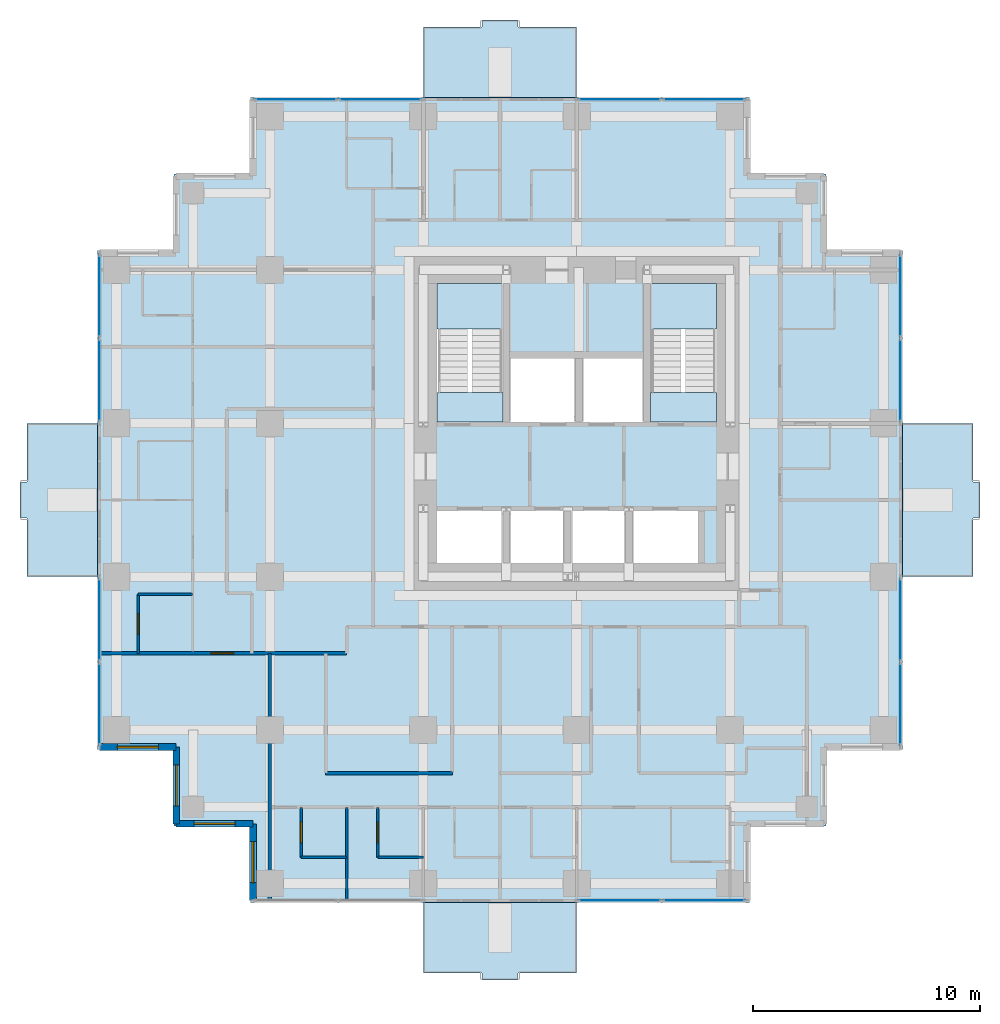
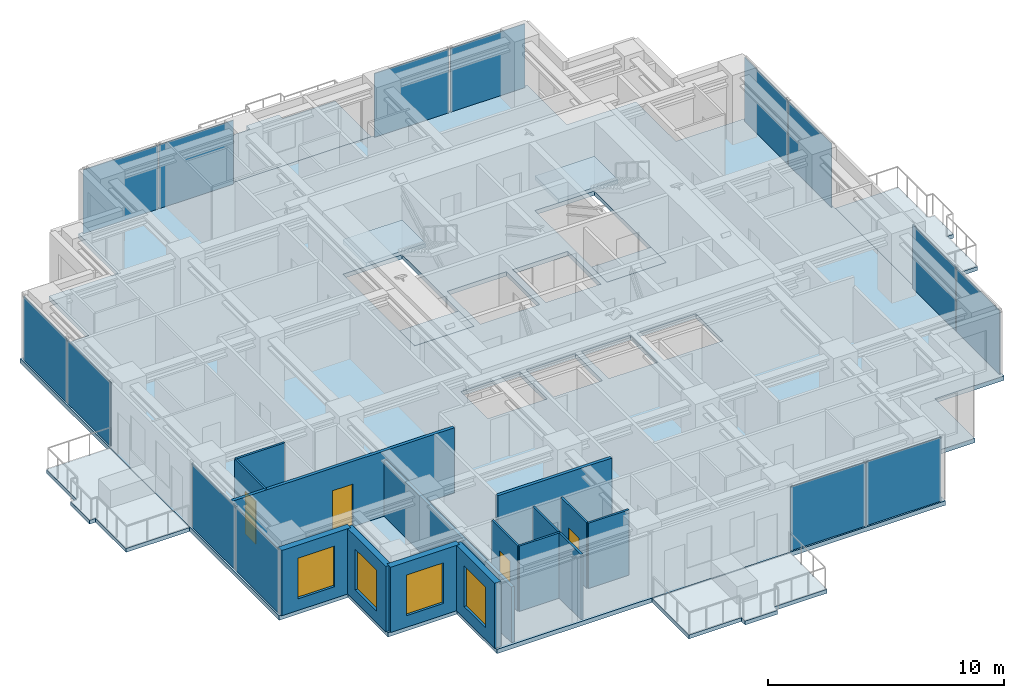
# One storey, part 4 of 10: 14 plates, 14 walls, 9 slabs, 4 doors, 4 windows, 8 openings, 9 elements without a shape of their own.
"""IFC4 building model written with IfcOpenShell, lengths in metres."""

from ifc_helpers import new_model, si_unit, direction, frame, frame_2d, origin, origin_2d, place, context, subcontext, project, spatial, polyline, rectangle, outline, extrude, material, layer, layer_set, type_object, element, fill, aggregate, save


model = new_model("IFC4")

# Units and contexts
model_context = context("Model", 3, precision=1e-05, world=origin(), true_north=direction((0.0, 1.0)))
body_context = subcontext(model_context, "Body", "Model", "MODEL_VIEW")
ifc_project = project(units=[si_unit("LENGTHUNIT", "METRE"), si_unit("AREAUNIT", "SQUARE_METRE"), si_unit("VOLUMEUNIT", "CUBIC_METRE"), si_unit("PLANEANGLEUNIT", "RADIAN"), si_unit("MASSUNIT", "GRAM", prefix="KILO")], contexts=[model_context])

# Site, building, storey
site_placement = place(None, origin())
site = spatial("IfcSite", under=ifc_project, at=site_placement, CompositionType="ELEMENT")
building_placement = place(site_placement, origin())
building = spatial("IfcBuilding", under=site, at=building_placement, Name="Nyansa Garden Tower", CompositionType="ELEMENT")
storey_placement = place(building_placement, frame((0.0, 0.0, 178.199951171875)))
storey = spatial("IfcBuildingStorey", under=building, at=storey_placement, Name="L48", CompositionType="ELEMENT", Elevation=178.199951171875)

# Slabs
ifc_material_1 = material(Name="Concrete C40/50", Category="concrete")
ifc_layer_1 = layer(ifc_material_1, 0.199951171875)
ifc_layer_set_1 = layer_set([ifc_layer_1], Name="Balcony slab BS200")
slab_type_1 = type_object("IfcSlabType", Name="Balcony slab BS200", PredefinedType="FLOOR", material=ifc_layer_set_1)
slab_1_placement = place(storey_placement, frame((0.0, 0.0, -0.239990234375)))
element("IfcSlab", 1, at=slab_1_placement, inside=storey, type_object=slab_type_1, Name="Balcony L48 S", PredefinedType="FLOOR", context=body_context, shape_type="SweptSolid", body=[
    extrude(outline(polyline([(13.5, -0.85009765625), (20.25, -0.85009765625), (20.25, -3.949951171875), (17.675048828125, -3.949951171875), (17.675048828125, -4.25), (16.074951171875, -4.25), (16.074951171875, -3.949951171875), (13.5, -3.949951171875), (13.5, -0.85009765625)])), origin(), (0.0, 0.0, 1.0), 0.199951171875),
])
slab_2_placement = place(storey_placement, frame((0.0, 0.0, -0.239990234375)))
element("IfcSlab", 2, at=slab_2_placement, inside=storey, type_object=slab_type_1, Name="Balcony L48 E", PredefinedType="FLOOR", context=body_context, shape_type="SweptSolid", body=[
    extrude(outline(polyline([(34.60009765625, 13.5), (34.60009765625, 20.25), (37.699951171875, 20.25), (37.699951171875, 17.675048828125), (38.0, 17.675048828125), (38.0, 16.074951171875), (37.699951171875, 16.074951171875), (37.699951171875, 13.5), (34.60009765625, 13.5)])), origin(), (0.0, 0.0, 1.0), 0.199951171875),
])
slab_3_placement = place(storey_placement, frame((0.0, 0.0, -0.239990234375)))
element("IfcSlab", 3, at=slab_3_placement, inside=storey, type_object=slab_type_1, Name="Balcony L48 N", PredefinedType="FLOOR", context=body_context, shape_type="SweptSolid", body=[
    extrude(outline(polyline([(13.5, 34.60009765625), (20.25, 34.60009765625), (20.25, 37.699951171875), (17.675048828125, 37.699951171875), (17.675048828125, 38.0), (16.074951171875, 38.0), (16.074951171875, 37.699951171875), (13.5, 37.699951171875), (13.5, 34.60009765625)])), origin(), (0.0, 0.0, 1.0), 0.199951171875),
])
slab_4_placement = place(storey_placement, frame((0.0, 0.0, -0.239990234375)))
element("IfcSlab", 4, at=slab_4_placement, inside=storey, type_object=slab_type_1, Name="Balcony L48 W", PredefinedType="FLOOR", context=body_context, shape_type="SweptSolid", body=[
    extrude(outline(polyline([(-0.85009765625, 13.5), (-0.85009765625, 20.25), (-3.949951171875, 20.25), (-3.949951171875, 17.675048828125), (-4.25, 17.675048828125), (-4.25, 16.074951171875), (-3.949951171875, 16.074951171875), (-3.949951171875, 13.5), (-0.85009765625, 13.5)])), origin(), (0.0, 0.0, 1.0), 0.199951171875),
])

# Curtain wall, plates
ifc_material_2 = material(Name="Black anodised aluminium, dark tinted double glazing", Category="aluminium")
curtain_wall_type = type_object("IfcCurtainWallType", Name="Inner skin curtain wall ISW-C", PredefinedType="USERDEFINED", material=ifc_material_2)
curtain_wall_1_placement = place(storey_placement, origin())
curtain_wall_1 = element("IfcCurtainWall", 5, at=curtain_wall_1_placement, inside=storey, type_object=curtain_wall_type, Name="Inner skin curtain wall L48 E", ObjectType="UNITISED CURTAIN WALL", PredefinedType="USERDEFINED")
ifc_material_3 = material(Name="Dark tinted laminated double glazing", Category="glass")
ifc_layer_2 = layer(ifc_material_3, 0.0400390625)
ifc_layer_set_2 = layer_set([ifc_layer_2], Name="Dark tinted vision panel VP-C")
plate_type = type_object("IfcPlateType", Name="Dark tinted vision panel VP-C", PredefinedType="CURTAIN_PANEL", material=ifc_layer_set_2)
plate_1_placement = place(storey_placement, frame((34.5, 7.892578125, 0.0), z_axis=(0.0, 0.0, 1.0), x_axis=(0.0, 1.0, 0.0)))
plate_1 = element("IfcPlate", 6, at=plate_1_placement, type_object=plate_type, Name="ISW-C panel 1", PredefinedType="CURTAIN_PANEL", context=body_context, shape_type="SweptSolid", body=[
    extrude(rectangle(XDim=3.64501953125, YDim=0.0400390625, at=origin_2d()), origin(), (0.0, 0.0, 1.0), 3.304931640625),
])
plate_2_placement = place(storey_placement, frame((34.5, 11.607421875, 0.0), z_axis=(0.0, 0.0, 1.0), x_axis=(0.0, 1.0, 0.0)))
plate_2 = element("IfcPlate", 7, at=plate_2_placement, type_object=plate_type, Name="ISW-C panel 2", PredefinedType="CURTAIN_PANEL", context=body_context, shape_type="SweptSolid", body=[
    extrude(rectangle(XDim=3.64501953125, YDim=0.0400390625, at=origin_2d()), origin(), (0.0, 0.0, 1.0), 3.304931640625),
])
aggregate(curtain_wall_1, [plate_1, plate_2])

curtain_wall_2_placement = place(storey_placement, origin())
curtain_wall_2 = element("IfcCurtainWall", 8, at=curtain_wall_2_placement, inside=storey, type_object=curtain_wall_type, Name="Inner skin curtain wall L48 E", ObjectType="UNITISED CURTAIN WALL", PredefinedType="USERDEFINED")
plate_3_placement = place(storey_placement, frame((34.5, 22.142578125, 0.0), z_axis=(0.0, 0.0, 1.0), x_axis=(0.0, 1.0, 0.0)))
plate_3 = element("IfcPlate", 9, at=plate_3_placement, type_object=plate_type, Name="ISW-C panel 1", PredefinedType="CURTAIN_PANEL", context=body_context, shape_type="SweptSolid", body=[
    extrude(rectangle(XDim=3.64501953125, YDim=0.0400390625, at=origin_2d()), origin(), (0.0, 0.0, 1.0), 3.304931640625),
])
plate_4_placement = place(storey_placement, frame((34.5, 25.857421875, 0.0), z_axis=(0.0, 0.0, 1.0), x_axis=(0.0, 1.0, 0.0)))
plate_4 = element("IfcPlate", 10, at=plate_4_placement, type_object=plate_type, Name="ISW-C panel 2", PredefinedType="CURTAIN_PANEL", context=body_context, shape_type="SweptSolid", body=[
    extrude(rectangle(XDim=3.64501953125, YDim=0.0400390625, at=origin_2d()), origin(), (0.0, 0.0, 1.0), 3.304931640625),
])
aggregate(curtain_wall_2, [plate_3, plate_4])

curtain_wall_3_placement = place(storey_placement, origin())
curtain_wall_3 = element("IfcCurtainWall", 11, at=curtain_wall_3_placement, inside=storey, type_object=curtain_wall_type, Name="Inner skin curtain wall L48 N", ObjectType="UNITISED CURTAIN WALL", PredefinedType="USERDEFINED")
plate_5_placement = place(storey_placement, frame((11.607421875, 34.5, 0.0), z_axis=(0.0, 0.0, 1.0), x_axis=(-1.0, 0.0, 0.0)))
plate_5 = element("IfcPlate", 12, at=plate_5_placement, type_object=plate_type, Name="ISW-C panel 1", PredefinedType="CURTAIN_PANEL", context=body_context, shape_type="SweptSolid", body=[
    extrude(rectangle(XDim=3.64501953125, YDim=0.0400390625, at=origin_2d()), origin(), (0.0, 0.0, 1.0), 3.304931640625),
])
plate_6_placement = place(storey_placement, frame((7.892578125, 34.5, 0.0), z_axis=(0.0, 0.0, 1.0), x_axis=(-1.0, 0.0, 0.0)))
plate_6 = element("IfcPlate", 13, at=plate_6_placement, type_object=plate_type, Name="ISW-C panel 2", PredefinedType="CURTAIN_PANEL", context=body_context, shape_type="SweptSolid", body=[
    extrude(rectangle(XDim=3.64501953125, YDim=0.0400390625, at=origin_2d()), origin(), (0.0, 0.0, 1.0), 3.304931640625),
])
aggregate(curtain_wall_3, [plate_5, plate_6])

curtain_wall_4_placement = place(storey_placement, origin())
curtain_wall_4 = element("IfcCurtainWall", 14, at=curtain_wall_4_placement, inside=storey, type_object=curtain_wall_type, Name="Inner skin curtain wall L48 N", ObjectType="UNITISED CURTAIN WALL", PredefinedType="USERDEFINED")
plate_7_placement = place(storey_placement, frame((25.857421875, 34.5, 0.0), z_axis=(0.0, 0.0, 1.0), x_axis=(-1.0, 0.0, 0.0)))
plate_7 = element("IfcPlate", 15, at=plate_7_placement, type_object=plate_type, Name="ISW-C panel 1", PredefinedType="CURTAIN_PANEL", context=body_context, shape_type="SweptSolid", body=[
    extrude(rectangle(XDim=3.64501953125, YDim=0.0400390625, at=origin_2d()), origin(), (0.0, 0.0, 1.0), 3.304931640625),
])
plate_8_placement = place(storey_placement, frame((22.142578125, 34.5, 0.0), z_axis=(0.0, 0.0, 1.0), x_axis=(-1.0, 0.0, 0.0)))
plate_8 = element("IfcPlate", 16, at=plate_8_placement, type_object=plate_type, Name="ISW-C panel 2", PredefinedType="CURTAIN_PANEL", context=body_context, shape_type="SweptSolid", body=[
    extrude(rectangle(XDim=3.64501953125, YDim=0.0400390625, at=origin_2d()), origin(), (0.0, 0.0, 1.0), 3.304931640625),
])
aggregate(curtain_wall_4, [plate_7, plate_8])

curtain_wall_5_placement = place(storey_placement, origin())
curtain_wall_5 = element("IfcCurtainWall", 17, at=curtain_wall_5_placement, inside=storey, type_object=curtain_wall_type, Name="Inner skin curtain wall L48 W", ObjectType="UNITISED CURTAIN WALL", PredefinedType="USERDEFINED")
plate_9_placement = place(storey_placement, frame((-0.75, 11.607421875, 0.0), z_axis=(0.0, 0.0, 1.0), x_axis=(0.0, -1.0, 0.0)))
plate_9 = element("IfcPlate", 18, at=plate_9_placement, type_object=plate_type, Name="ISW-C panel 1", PredefinedType="CURTAIN_PANEL", context=body_context, shape_type="SweptSolid", body=[
    extrude(rectangle(XDim=3.64501953125, YDim=0.0400390625, at=origin_2d()), origin(), (0.0, 0.0, 1.0), 3.304931640625),
])
plate_10_placement = place(storey_placement, frame((-0.75, 7.892578125, 0.0), z_axis=(0.0, 0.0, 1.0), x_axis=(0.0, -1.0, 0.0)))
plate_10 = element("IfcPlate", 19, at=plate_10_placement, type_object=plate_type, Name="ISW-C panel 2", PredefinedType="CURTAIN_PANEL", context=body_context, shape_type="SweptSolid", body=[
    extrude(rectangle(XDim=3.64501953125, YDim=0.0400390625, at=origin_2d()), origin(), (0.0, 0.0, 1.0), 3.304931640625),
])
aggregate(curtain_wall_5, [plate_9, plate_10])

curtain_wall_6_placement = place(storey_placement, origin())
curtain_wall_6 = element("IfcCurtainWall", 20, at=curtain_wall_6_placement, inside=storey, type_object=curtain_wall_type, Name="Inner skin curtain wall L48 W", ObjectType="UNITISED CURTAIN WALL", PredefinedType="USERDEFINED")
plate_11_placement = place(storey_placement, frame((-0.75, 25.857421875, 0.0), z_axis=(0.0, 0.0, 1.0), x_axis=(0.0, -1.0, 0.0)))
plate_11 = element("IfcPlate", 21, at=plate_11_placement, type_object=plate_type, Name="ISW-C panel 1", PredefinedType="CURTAIN_PANEL", context=body_context, shape_type="SweptSolid", body=[
    extrude(rectangle(XDim=3.64501953125, YDim=0.0400390625, at=origin_2d()), origin(), (0.0, 0.0, 1.0), 3.304931640625),
])
plate_12_placement = place(storey_placement, frame((-0.75, 22.142578125, 0.0), z_axis=(0.0, 0.0, 1.0), x_axis=(0.0, -1.0, 0.0)))
plate_12 = element("IfcPlate", 22, at=plate_12_placement, type_object=plate_type, Name="ISW-C panel 2", PredefinedType="CURTAIN_PANEL", context=body_context, shape_type="SweptSolid", body=[
    extrude(rectangle(XDim=3.64501953125, YDim=0.0400390625, at=origin_2d()), origin(), (0.0, 0.0, 1.0), 3.304931640625),
])
aggregate(curtain_wall_6, [plate_11, plate_12])

curtain_wall_7_placement = place(storey_placement, origin())
curtain_wall_7 = element("IfcCurtainWall", 23, at=curtain_wall_7_placement, inside=storey, type_object=curtain_wall_type, Name="Inner skin curtain wall L48 S", ObjectType="UNITISED CURTAIN WALL", PredefinedType="USERDEFINED")
plate_13_placement = place(storey_placement, frame((22.142578125, -0.75, 0.0), z_axis=(0.0, 0.0, 1.0), x_axis=(1.0, 0.0, 0.0)))
plate_13 = element("IfcPlate", 24, at=plate_13_placement, type_object=plate_type, Name="ISW-C panel 1", PredefinedType="CURTAIN_PANEL", context=body_context, shape_type="SweptSolid", body=[
    extrude(rectangle(XDim=3.64501953125, YDim=0.0400390625, at=origin_2d()), origin(), (0.0, 0.0, 1.0), 3.304931640625),
])
plate_14_placement = place(storey_placement, frame((25.857421875, -0.75, 0.0), z_axis=(0.0, 0.0, 1.0), x_axis=(1.0, 0.0, 0.0)))
plate_14 = element("IfcPlate", 25, at=plate_14_placement, type_object=plate_type, Name="ISW-C panel 2", PredefinedType="CURTAIN_PANEL", context=body_context, shape_type="SweptSolid", body=[
    extrude(rectangle(XDim=3.64501953125, YDim=0.0400390625, at=origin_2d()), origin(), (0.0, 0.0, 1.0), 3.304931640625),
])
aggregate(curtain_wall_7, [plate_13, plate_14])

# Slab
ifc_material_4 = material(Name="Concrete C40/50", Category="concrete")
ifc_layer_3 = layer(ifc_material_4, 0.22509765625)
ifc_layer_set_3 = layer_set([ifc_layer_3], Name="Floor slab FS225")
slab_type_2 = type_object("IfcSlabType", Name="Floor slab FS225", PredefinedType="FLOOR", material=ifc_layer_set_3)
slab_5_placement = place(storey_placement, frame((0.0, 0.0, -0.224853515625)))
element("IfcSlab", 26, at=slab_5_placement, inside=storey, type_object=slab_type_2, Name="Floor slab L48", PredefinedType="FLOOR", context=body_context, shape_type="SweptSolid", body=[
    extrude(outline(polyline([(34.60009765625, 5.89990234375), (31.22509765625, 5.89990234375), (31.22509765625, 2.52490234375), (27.85009765625, 2.52490234375), (27.85009765625, -0.85009765625), (5.89990234375, -0.85009765625), (5.89990234375, 2.52490234375), (2.52490234375, 2.52490234375), (2.52490234375, 5.89990234375), (-0.85009765625, 5.89990234375), (-0.85009765625, 27.85009765625), (2.52490234375, 27.85009765625), (2.52490234375, 31.22509765625), (5.89990234375, 31.22509765625), (5.89990234375, 34.60009765625), (27.85009765625, 34.60009765625), (27.85009765625, 31.22509765625), (31.22509765625, 31.22509765625), (31.22509765625, 27.85009765625), (34.60009765625, 27.85009765625), (34.60009765625, 5.89990234375)]), holes=[polyline([(14.10009765625, 14.10009765625), (17.0, 14.10009765625), (17.0, 16.39990234375), (14.10009765625, 16.39990234375), (14.10009765625, 14.10009765625)]), polyline([(17.300048828125, 14.10009765625), (19.699951171875, 14.10009765625), (19.699951171875, 16.39990234375), (17.300048828125, 16.39990234375), (17.300048828125, 14.10009765625)]), polyline([(20.0, 14.10009765625), (22.39990234375, 14.10009765625), (22.39990234375, 16.39990234375), (20.0, 16.39990234375), (20.0, 14.10009765625)]), polyline([(22.699951171875, 14.10009765625), (25.60009765625, 14.10009765625), (25.60009765625, 16.39990234375), (22.699951171875, 16.39990234375), (22.699951171875, 14.10009765625)]), polyline([(17.300048828125, 20.300048828125), (20.199951171875, 20.300048828125), (20.199951171875, 23.10009765625), (17.300048828125, 23.10009765625), (17.300048828125, 20.300048828125)]), polyline([(20.5, 20.300048828125), (23.199951171875, 20.300048828125), (23.199951171875, 23.10009765625), (20.5, 23.10009765625), (20.5, 20.300048828125)]), polyline([(14.10009765625, 20.300048828125), (17.0, 20.300048828125), (17.0, 26.39990234375), (14.10009765625, 26.39990234375), (14.10009765625, 20.300048828125)]), polyline([(23.5, 20.300048828125), (26.39990234375, 20.300048828125), (26.39990234375, 26.39990234375), (23.5, 26.39990234375), (23.5, 20.300048828125)])]), origin(), (0.0, 0.0, 1.0), 0.224853515625),
])

# Stair, slabs
ifc_material_5 = material(Name="Precast concrete C40/50", Category="concrete")
stair_type_1 = type_object("IfcStairType", Name="Stair S1 164x280", PredefinedType="HALF_TURN_STAIR", material=ifc_material_5)
stair_1_placement = place(storey_placement, origin())
stair_1 = element("IfcStair", 27, at=stair_1_placement, inside=storey, type_object=stair_type_1, Name="Stair S1 L48", PredefinedType="HALF_TURN_STAIR")
ifc_material_6 = material(Name="Concrete C40/50", Category="concrete")
ifc_layer_4 = layer(ifc_material_6, 0.199951171875)
ifc_layer_set_4 = layer_set([ifc_layer_4], Name="Stair landing SL200")
slab_type_3 = type_object("IfcSlabType", Name="Stair landing SL200", PredefinedType="LANDING", material=ifc_layer_set_4)
slab_6_placement = place(storey_placement, frame((0.0, 0.0, -0.199951171875)))
slab_6 = element("IfcSlab", 28, at=slab_6_placement, type_object=slab_type_3, Name="S1 landing 1", PredefinedType="LANDING", context=body_context, shape_type="SweptSolid", body=[
    extrude(outline(polyline([(14.10009765625, 20.300048828125), (17.0, 20.300048828125), (17.0, 21.60009765625), (14.10009765625, 21.60009765625), (14.10009765625, 20.300048828125)])), origin(), (0.0, 0.0, 1.0), 0.199951171875),
])
slab_7_placement = place(storey_placement, frame((0.0, 0.0, 1.60009765625)))
slab_7 = element("IfcSlab", 29, at=slab_7_placement, type_object=slab_type_3, Name="S1 landing 2", PredefinedType="LANDING", context=body_context, shape_type="SweptSolid", body=[
    extrude(outline(polyline([(14.10009765625, 24.39990234375), (17.0, 24.39990234375), (17.0, 26.39990234375), (14.10009765625, 26.39990234375), (14.10009765625, 24.39990234375)])), origin(), (0.0, 0.0, 1.0), 0.199951171875),
])
aggregate(stair_1, [slab_6, slab_7])

ifc_material_7 = material(Name="Precast concrete C40/50", Category="concrete")
stair_type_2 = type_object("IfcStairType", Name="Stair S2 164x280", PredefinedType="HALF_TURN_STAIR", material=ifc_material_7)
stair_2_placement = place(storey_placement, origin())
stair_2 = element("IfcStair", 30, at=stair_2_placement, inside=storey, type_object=stair_type_2, Name="Stair S2 L48", PredefinedType="HALF_TURN_STAIR")
slab_8_placement = place(storey_placement, frame((0.0, 0.0, -0.199951171875)))
slab_8 = element("IfcSlab", 31, at=slab_8_placement, type_object=slab_type_3, Name="S2 landing 1", PredefinedType="LANDING", context=body_context, shape_type="SweptSolid", body=[
    extrude(outline(polyline([(23.5, 20.300048828125), (26.39990234375, 20.300048828125), (26.39990234375, 21.60009765625), (23.5, 21.60009765625), (23.5, 20.300048828125)])), origin(), (0.0, 0.0, 1.0), 0.199951171875),
])
slab_9_placement = place(storey_placement, frame((0.0, 0.0, 1.60009765625)))
slab_9 = element("IfcSlab", 32, at=slab_9_placement, type_object=slab_type_3, Name="S2 landing 2", PredefinedType="LANDING", context=body_context, shape_type="SweptSolid", body=[
    extrude(outline(polyline([(23.5, 24.39990234375), (26.39990234375, 24.39990234375), (26.39990234375, 26.39990234375), (23.5, 26.39990234375), (23.5, 24.39990234375)])), origin(), (0.0, 0.0, 1.0), 0.199951171875),
])
aggregate(stair_2, [slab_8, slab_9])

# Wall, opening, door
ifc_material_8 = material(Name="Blockwork, plastered both sides", Category="masonry")
ifc_layer_5 = layer(ifc_material_8, 0.14990234375)
ifc_layer_set_5 = layer_set([ifc_layer_5], Name="Partition PW150")
wall_type_1 = type_object("IfcWallType", Name="Partition PW150", PredefinedType="PARTITIONING", material=ifc_layer_set_5)
wall_1_placement = place(storey_placement, frame((-0.73388671875, 10.125, 0.0), z_axis=(0.0, 0.0, 1.0), x_axis=(1.0, 0.0, 0.0)))
wall_1 = element("IfcWall", 33, at=wall_1_placement, inside=storey, type_object=wall_type_1, Name="Partition", PredefinedType="PARTITIONING", context=body_context, shape_type="SweptSolid", body=[
    extrude(rectangle(XDim=10.85888671875, YDim=0.14990234375, at=frame_2d((5.429443359375, 0.0))), origin(), (0.0, 0.0, 1.0), 3.375),
])
opening_1_placement = place(wall_1_placement, frame((4.884033203125, 0.0, 0.0)))
opening_1 = element("IfcOpeningElement", 34, at=opening_1_placement, cuts=wall_1, Name="Opening D03", PredefinedType="OPENING", context=body_context, shape_type="SweptSolid", body=[
    extrude(rectangle(XDim=1.0, YDim=2.199951171875, at=frame_2d((0.5, 1.10009765625))), frame((0.0, 0.0849609375, 0.0), z_axis=(0.0, -1.0, 0.0), x_axis=(1.0, 0.0, 0.0)), (0.0, 0.0, 1.0), 0.169921875),
])
ifc_material_9 = material(Name="Timber flush door, 60 minute fire resisting", Category="wood")
door_type_1 = type_object("IfcDoorType", Name="Cluster entrance door D03 1000x2200", OperationType="SINGLE_SWING_LEFT", PredefinedType="DOOR", material=ifc_material_9)
door_1_placement = place(opening_1_placement, origin())
door_1 = element("IfcDoor", 35, at=door_1_placement, inside=storey, type_object=door_type_1, Name="Door L48-017", OperationType="SINGLE_SWING_LEFT", OverallHeight=2.199951171875, OverallWidth=1.0, PredefinedType="DOOR", context=body_context, shape_type="SweptSolid", body=[
    extrude(rectangle(XDim=1.0, YDim=2.199951171875, at=frame_2d((0.5, 1.10009765625))), frame((0.0, 0.02490234375, 0.0), z_axis=(0.0, -1.0, 0.0), x_axis=(1.0, 0.0, 0.0)), (0.0, 0.0, 1.0), 0.050048828125),
])
fill(opening_1, door_1)

# Walls
wall_2_placement = place(storey_placement, frame((6.75, -0.73388671875, 0.0), z_axis=(0.0, 0.0, 1.0), x_axis=(0.0, 1.0, 0.0)))
element("IfcWall", 36, at=wall_2_placement, inside=storey, type_object=wall_type_1, Name="Partition", PredefinedType="PARTITIONING", context=body_context, shape_type="SweptSolid", body=[
    extrude(rectangle(XDim=10.85888671875, YDim=0.14990234375, at=frame_2d((5.429443359375, 0.0))), origin(), (0.0, 0.0, 1.0), 2.876953125),
])
wall_3_placement = place(storey_placement, frame((9.199951171875, 4.85009765625, 0.0), z_axis=(0.0, 0.0, 1.0), x_axis=(1.0, 0.0, 0.0)))
element("IfcWall", 37, at=wall_3_placement, inside=storey, type_object=wall_type_1, Name="Partition", PredefinedType="PARTITIONING", context=body_context, shape_type="SweptSolid", body=[
    extrude(rectangle(XDim=5.574951171875, YDim=0.14990234375, at=frame_2d((2.78759765625, 0.0))), origin(), (0.0, 0.0, 1.0), 3.375),
])

# Wall, opening, window
ifc_material_10 = material(Name="Turquoise glazed tile on concrete blockwork", Category="masonry")
ifc_layer_6 = layer(ifc_material_10, 0.300048828125)
ifc_layer_set_6 = layer_set([ifc_layer_6], Name="Tiled corner wall TW300")
wall_type_2 = type_object("IfcWallType", Name="Tiled corner wall TW300", PredefinedType="SOLIDWALL", material=ifc_layer_set_6)
wall_4_placement = place(storey_placement, frame((-0.75, 6.0, 0.0), z_axis=(0.0, 0.0, 1.0), x_axis=(1.0, 0.0, 0.0)))
wall_4 = element("IfcWall", 38, at=wall_4_placement, inside=storey, type_object=wall_type_2, Name="Tiled corner wall L48", PredefinedType="SOLIDWALL", context=body_context, shape_type="SweptSolid", body=[
    extrude(rectangle(XDim=3.375, YDim=0.300048828125, at=frame_2d((1.6875, 0.0))), origin(), (0.0, 0.0, 1.0), 3.375),
])
opening_2_placement = place(wall_4_placement, frame((0.78759765625, 0.0, 0.60009765625)))
opening_2 = element("IfcOpeningElement", 39, at=opening_2_placement, cuts=wall_4, Name="Opening W2", PredefinedType="OPENING", context=body_context, shape_type="SweptSolid", body=[
    extrude(rectangle(XDim=1.800048828125, YDim=2.10009765625, at=frame_2d((0.89990234375, 1.050048828125))), frame((0.0, 0.159912109375, 0.0), z_axis=(0.0, -1.0, 0.0), x_axis=(1.0, 0.0, 0.0)), (0.0, 0.0, 1.0), 0.320068359375),
])
ifc_material_11 = material(Name="Black aluminium frame, dark tinted double glazing", Category="aluminium")
window_type = type_object("IfcWindowType", Name="Window W2 1800x2100", PartitioningType="SINGLE_PANEL", PredefinedType="WINDOW", material=ifc_material_11)
window_1_placement = place(opening_2_placement, origin())
window_1 = element("IfcWindow", 40, at=window_1_placement, inside=storey, type_object=window_type, Name="Corner window L48", OverallHeight=2.10009765625, OverallWidth=1.800048828125, PartitioningType="SINGLE_PANEL", PredefinedType="WINDOW", context=body_context, shape_type="SweptSolid", body=[
    extrude(rectangle(XDim=1.800048828125, YDim=2.10009765625, at=frame_2d((0.89990234375, 1.050048828125))), frame((0.0, 0.030029296875, 0.0), z_axis=(0.0, -1.0, 0.0), x_axis=(1.0, 0.0, 0.0)), (0.0, 0.0, 1.0), 0.06005859375),
])
fill(opening_2, window_1)

wall_5_placement = place(storey_placement, frame((2.625, 6.0, 0.0), z_axis=(0.0, 0.0, 1.0), x_axis=(0.0, -1.0, 0.0)))
wall_5 = element("IfcWall", 41, at=wall_5_placement, inside=storey, type_object=wall_type_2, Name="Tiled corner wall L48", PredefinedType="SOLIDWALL", context=body_context, shape_type="SweptSolid", body=[
    extrude(rectangle(XDim=3.375, YDim=0.300048828125, at=frame_2d((1.6875, 0.0))), origin(), (0.0, 0.0, 1.0), 3.375),
])
opening_3_placement = place(wall_5_placement, frame((0.78759765625, 0.0, 0.60009765625)))
opening_3 = element("IfcOpeningElement", 42, at=opening_3_placement, cuts=wall_5, Name="Opening W2", PredefinedType="OPENING", context=body_context, shape_type="SweptSolid", body=[
    extrude(rectangle(XDim=1.800048828125, YDim=2.10009765625, at=frame_2d((0.89990234375, 1.050048828125))), frame((0.0, 0.159912109375, 0.0), z_axis=(0.0, -1.0, 0.0), x_axis=(1.0, 0.0, 0.0)), (0.0, 0.0, 1.0), 0.320068359375),
])
window_2_placement = place(opening_3_placement, origin())
window_2 = element("IfcWindow", 43, at=window_2_placement, inside=storey, type_object=window_type, Name="Corner window L48", OverallHeight=2.10009765625, OverallWidth=1.800048828125, PartitioningType="SINGLE_PANEL", PredefinedType="WINDOW", context=body_context, shape_type="SweptSolid", body=[
    extrude(rectangle(XDim=1.800048828125, YDim=2.10009765625, at=frame_2d((0.89990234375, 1.050048828125))), frame((0.0, 0.030029296875, 0.0), z_axis=(0.0, -1.0, 0.0), x_axis=(1.0, 0.0, 0.0)), (0.0, 0.0, 1.0), 0.06005859375),
])
fill(opening_3, window_2)

wall_6_placement = place(storey_placement, frame((2.625, 2.625, 0.0), z_axis=(0.0, 0.0, 1.0), x_axis=(1.0, 0.0, 0.0)))
wall_6 = element("IfcWall", 44, at=wall_6_placement, inside=storey, type_object=wall_type_2, Name="Tiled corner wall L48", PredefinedType="SOLIDWALL", context=body_context, shape_type="SweptSolid", body=[
    extrude(rectangle(XDim=3.375, YDim=0.300048828125, at=frame_2d((1.6875, 0.0))), origin(), (0.0, 0.0, 1.0), 3.375),
])
opening_4_placement = place(wall_6_placement, frame((0.78759765625, 0.0, 0.60009765625)))
opening_4 = element("IfcOpeningElement", 45, at=opening_4_placement, cuts=wall_6, Name="Opening W2", PredefinedType="OPENING", context=body_context, shape_type="SweptSolid", body=[
    extrude(rectangle(XDim=1.800048828125, YDim=2.10009765625, at=frame_2d((0.89990234375, 1.050048828125))), frame((0.0, 0.159912109375, 0.0), z_axis=(0.0, -1.0, 0.0), x_axis=(1.0, 0.0, 0.0)), (0.0, 0.0, 1.0), 0.320068359375),
])
window_3_placement = place(opening_4_placement, origin())
window_3 = element("IfcWindow", 46, at=window_3_placement, inside=storey, type_object=window_type, Name="Corner window L48", OverallHeight=2.10009765625, OverallWidth=1.800048828125, PartitioningType="SINGLE_PANEL", PredefinedType="WINDOW", context=body_context, shape_type="SweptSolid", body=[
    extrude(rectangle(XDim=1.800048828125, YDim=2.10009765625, at=frame_2d((0.89990234375, 1.050048828125))), frame((0.0, 0.030029296875, 0.0), z_axis=(0.0, -1.0, 0.0), x_axis=(1.0, 0.0, 0.0)), (0.0, 0.0, 1.0), 0.06005859375),
])
fill(opening_4, window_3)

wall_7_placement = place(storey_placement, frame((6.0, 2.625, 0.0), z_axis=(0.0, 0.0, 1.0), x_axis=(0.0, -1.0, 0.0)))
wall_7 = element("IfcWall", 47, at=wall_7_placement, inside=storey, type_object=wall_type_2, Name="Tiled corner wall L48", PredefinedType="SOLIDWALL", context=body_context, shape_type="SweptSolid", body=[
    extrude(rectangle(XDim=3.375, YDim=0.300048828125, at=frame_2d((1.6875, 0.0))), origin(), (0.0, 0.0, 1.0), 3.375),
])
opening_5_placement = place(wall_7_placement, frame((0.78759765625, 0.0, 0.60009765625)))
opening_5 = element("IfcOpeningElement", 48, at=opening_5_placement, cuts=wall_7, Name="Opening W2", PredefinedType="OPENING", context=body_context, shape_type="SweptSolid", body=[
    extrude(rectangle(XDim=1.800048828125, YDim=2.10009765625, at=frame_2d((0.89990234375, 1.050048828125))), frame((0.0, 0.159912109375, 0.0), z_axis=(0.0, -1.0, 0.0), x_axis=(1.0, 0.0, 0.0)), (0.0, 0.0, 1.0), 0.320068359375),
])
window_4_placement = place(opening_5_placement, origin())
window_4 = element("IfcWindow", 49, at=window_4_placement, inside=storey, type_object=window_type, Name="Corner window L48", OverallHeight=2.10009765625, OverallWidth=1.800048828125, PartitioningType="SINGLE_PANEL", PredefinedType="WINDOW", context=body_context, shape_type="SweptSolid", body=[
    extrude(rectangle(XDim=1.800048828125, YDim=2.10009765625, at=frame_2d((0.89990234375, 1.050048828125))), frame((0.0, 0.030029296875, 0.0), z_axis=(0.0, -1.0, 0.0), x_axis=(1.0, 0.0, 0.0)), (0.0, 0.0, 1.0), 0.06005859375),
])
fill(opening_5, window_4)

# Wall, opening, door
ifc_material_12 = material(Name="Moisture resistant board on steel studs, tiled", Category="steel")
ifc_layer_7 = layer(ifc_material_12, 0.10009765625)
ifc_layer_set_7 = layer_set([ifc_layer_7], Name="Wet wall PW100")
wall_type_3 = type_object("IfcWallType", Name="Wet wall PW100", PredefinedType="PARTITIONING", material=ifc_layer_set_7)
wall_8_placement = place(storey_placement, frame((0.949951171875, 10.125, 0.0), z_axis=(0.0, 0.0, 1.0), x_axis=(0.0, 1.0, 0.0)))
wall_8 = element("IfcWall", 50, at=wall_8_placement, inside=storey, type_object=wall_type_3, Name="Wet wall", PredefinedType="PARTITIONING", context=body_context, shape_type="SweptSolid", body=[
    extrude(rectangle(XDim=2.60009765625, YDim=0.10009765625, at=frame_2d((1.300048828125, 0.0))), origin(), (0.0, 0.0, 1.0), 3.375),
])
opening_6_placement = place(wall_8_placement, frame((0.85009765625, 0.0, 0.0)))
opening_6 = element("IfcOpeningElement", 51, at=opening_6_placement, cuts=wall_8, Name="Opening D02", PredefinedType="OPENING", context=body_context, shape_type="SweptSolid", body=[
    extrude(rectangle(XDim=0.89990234375, YDim=2.199951171875, at=frame_2d((0.449951171875, 1.10009765625))), frame((0.0, 0.06005859375, 0.0), z_axis=(0.0, -1.0, 0.0), x_axis=(1.0, 0.0, 0.0)), (0.0, 0.0, 1.0), 0.1201171875),
])
ifc_material_13 = material(Name="Timber flush door", Category="wood")
door_type_2 = type_object("IfcDoorType", Name="En-suite door D02 900x2200", OperationType="SINGLE_SWING_RIGHT", PredefinedType="DOOR", material=ifc_material_13)
door_2_placement = place(opening_6_placement, origin())
door_2 = element("IfcDoor", 52, at=door_2_placement, inside=storey, type_object=door_type_2, Name="Door L48-052", OperationType="SINGLE_SWING_RIGHT", OverallHeight=2.199951171875, OverallWidth=0.89990234375, PredefinedType="DOOR", context=body_context, shape_type="SweptSolid", body=[
    extrude(rectangle(XDim=0.89990234375, YDim=2.199951171875, at=frame_2d((0.449951171875, 1.10009765625))), frame((0.0, 0.02490234375, 0.0), z_axis=(0.0, -1.0, 0.0), x_axis=(1.0, 0.0, 0.0)), (0.0, 0.0, 1.0), 0.050048828125),
])
fill(opening_6, door_2)

# Wall
wall_9_placement = place(storey_placement, frame((0.949951171875, 12.72509765625, 0.0), z_axis=(0.0, 0.0, 1.0), x_axis=(1.0, 0.0, 0.0)))
element("IfcWall", 53, at=wall_9_placement, inside=storey, type_object=wall_type_3, Name="Wet wall", PredefinedType="PARTITIONING", context=body_context, shape_type="SweptSolid", body=[
    extrude(rectangle(XDim=2.400146484375, YDim=0.10009765625, at=frame_2d((1.2001953125, 0.0))), origin(), (0.0, 0.0, 1.0), 3.375),
])

# Wall, opening, door
wall_10_placement = place(storey_placement, frame((8.125, 1.14990234375, 0.0), z_axis=(0.0, 0.0, 1.0), x_axis=(0.0, 1.0, 0.0)))
wall_10 = element("IfcWall", 54, at=wall_10_placement, inside=storey, type_object=wall_type_3, Name="Wet wall", PredefinedType="PARTITIONING", context=body_context, shape_type="SweptSolid", body=[
    extrude(rectangle(XDim=2.2001953125, YDim=0.10009765625, at=frame_2d((1.10009765625, 0.0))), origin(), (0.0, 0.0, 1.0), 3.375),
])
opening_7_placement = place(wall_10_placement, frame((0.64990234375, 0.0, 0.0)))
opening_7 = element("IfcOpeningElement", 55, at=opening_7_placement, cuts=wall_10, Name="Opening D02", PredefinedType="OPENING", context=body_context, shape_type="SweptSolid", body=[
    extrude(rectangle(XDim=0.89990234375, YDim=2.199951171875, at=frame_2d((0.449951171875, 1.10009765625))), frame((0.0, 0.06005859375, 0.0), z_axis=(0.0, -1.0, 0.0), x_axis=(1.0, 0.0, 0.0)), (0.0, 0.0, 1.0), 0.1201171875),
])
door_3_placement = place(opening_7_placement, origin())
door_3 = element("IfcDoor", 56, at=door_3_placement, inside=storey, type_object=door_type_2, Name="Door L48-019", OperationType="SINGLE_SWING_RIGHT", OverallHeight=2.199951171875, OverallWidth=0.89990234375, PredefinedType="DOOR", context=body_context, shape_type="SweptSolid", body=[
    extrude(rectangle(XDim=0.89990234375, YDim=2.199951171875, at=frame_2d((0.449951171875, 1.10009765625))), frame((0.0, 0.02490234375, 0.0), z_axis=(0.0, -1.0, 0.0), x_axis=(1.0, 0.0, 0.0)), (0.0, 0.0, 1.0), 0.050048828125),
])
fill(opening_7, door_3)

# Walls
wall_11_placement = place(storey_placement, frame((8.125, 1.14990234375, 0.0), z_axis=(0.0, 0.0, 1.0), x_axis=(1.0, 0.0, 0.0)))
element("IfcWall", 57, at=wall_11_placement, inside=storey, type_object=wall_type_3, Name="Wet wall", PredefinedType="PARTITIONING", context=body_context, shape_type="SweptSolid", body=[
    extrude(rectangle(XDim=2.0, YDim=0.10009765625, at=frame_2d((1.0, 0.0))), origin(), (0.0, 0.0, 1.0), 3.375),
])
wall_12_placement = place(storey_placement, frame((10.125, -0.73388671875, 0.0), z_axis=(0.0, 0.0, 1.0), x_axis=(0.0, 1.0, 0.0)))
element("IfcWall", 58, at=wall_12_placement, inside=storey, type_object=wall_type_3, Name="Wet wall", PredefinedType="PARTITIONING", context=body_context, shape_type="SweptSolid", body=[
    extrude(rectangle(XDim=4.083984375, YDim=0.10009765625, at=frame_2d((2.0419921875, 0.0))), origin(), (0.0, 0.0, 1.0), 3.375),
])

# Wall, opening, door
wall_13_placement = place(storey_placement, frame((11.5, 1.14990234375, 0.0), z_axis=(0.0, 0.0, 1.0), x_axis=(0.0, 1.0, 0.0)))
wall_13 = element("IfcWall", 59, at=wall_13_placement, inside=storey, type_object=wall_type_3, Name="Wet wall", PredefinedType="PARTITIONING", context=body_context, shape_type="SweptSolid", body=[
    extrude(rectangle(XDim=2.2001953125, YDim=0.10009765625, at=frame_2d((1.10009765625, 0.0))), origin(), (0.0, 0.0, 1.0), 3.375),
])
opening_8_placement = place(wall_13_placement, frame((0.64990234375, 0.0, 0.0)))
opening_8 = element("IfcOpeningElement", 60, at=opening_8_placement, cuts=wall_13, Name="Opening D02", PredefinedType="OPENING", context=body_context, shape_type="SweptSolid", body=[
    extrude(rectangle(XDim=0.89990234375, YDim=2.199951171875, at=frame_2d((0.449951171875, 1.10009765625))), frame((0.0, 0.06005859375, 0.0), z_axis=(0.0, -1.0, 0.0), x_axis=(1.0, 0.0, 0.0)), (0.0, 0.0, 1.0), 0.1201171875),
])
door_4_placement = place(opening_8_placement, origin())
door_4 = element("IfcDoor", 61, at=door_4_placement, inside=storey, type_object=door_type_2, Name="Door L48-021", OperationType="SINGLE_SWING_RIGHT", OverallHeight=2.199951171875, OverallWidth=0.89990234375, PredefinedType="DOOR", context=body_context, shape_type="SweptSolid", body=[
    extrude(rectangle(XDim=0.89990234375, YDim=2.199951171875, at=frame_2d((0.449951171875, 1.10009765625))), frame((0.0, 0.02490234375, 0.0), z_axis=(0.0, -1.0, 0.0), x_axis=(1.0, 0.0, 0.0)), (0.0, 0.0, 1.0), 0.050048828125),
])
fill(opening_8, door_4)

# Wall
wall_14_placement = place(storey_placement, frame((11.5, 1.14990234375, 0.0), z_axis=(0.0, 0.0, 1.0), x_axis=(1.0, 0.0, 0.0)))
element("IfcWall", 62, at=wall_14_placement, inside=storey, type_object=wall_type_3, Name="Wet wall", PredefinedType="PARTITIONING", context=body_context, shape_type="SweptSolid", body=[
    extrude(rectangle(XDim=2.0, YDim=0.10009765625, at=frame_2d((1.0, 0.0))), origin(), (0.0, 0.0, 1.0), 3.375),
])

save(model, "model.ifc")
